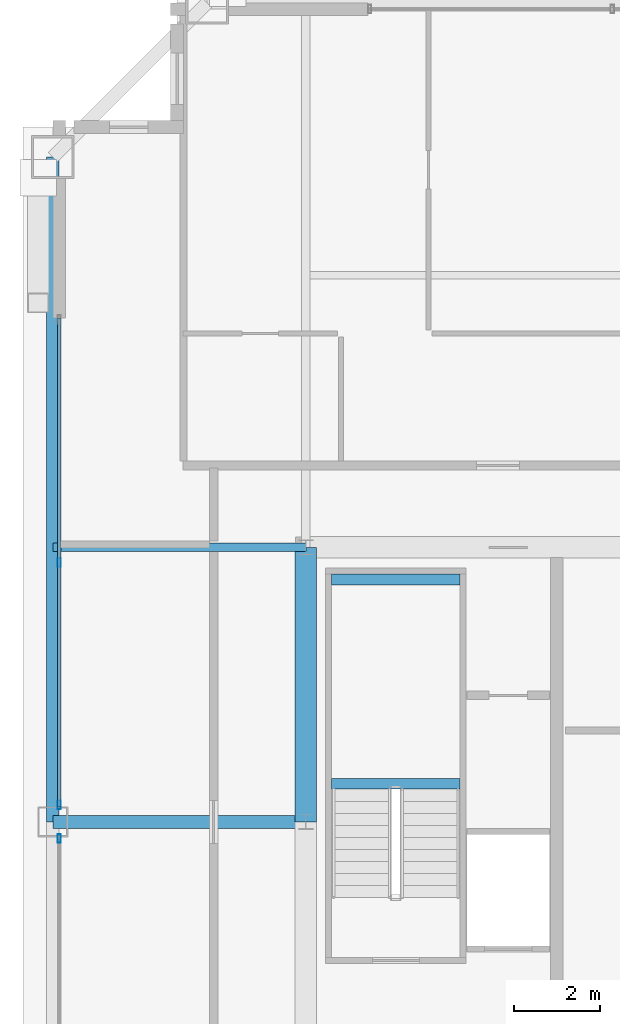
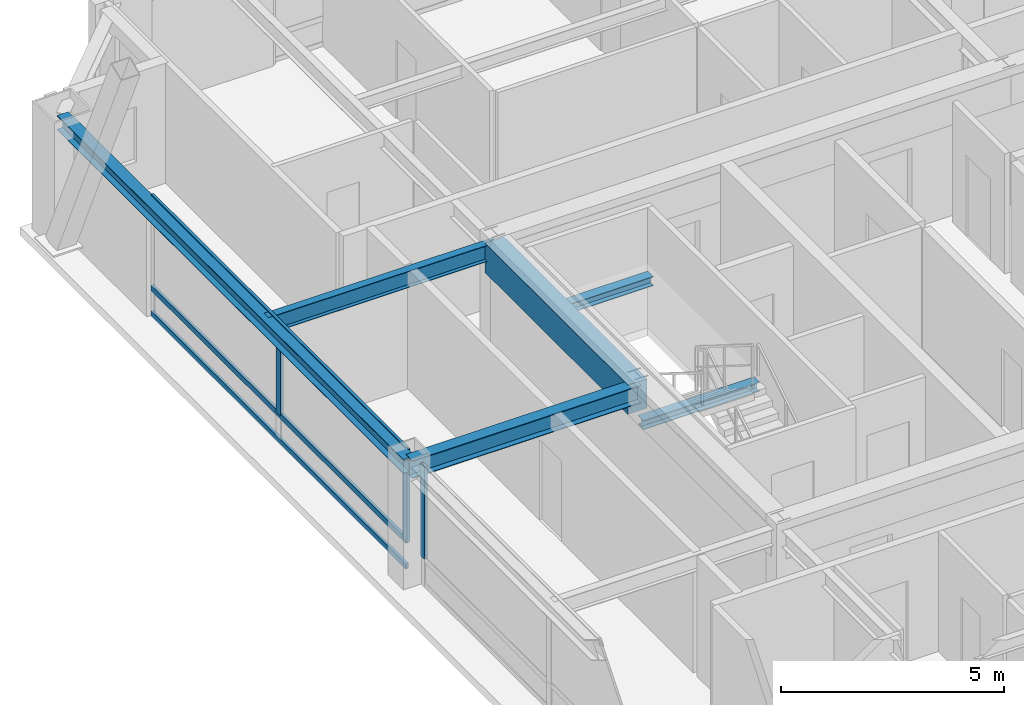
# One storey, part 11 of 35: 6 beams, 6 members, 2 elements without a shape of their own.
"""IFC4 building model written with IfcOpenShell, lengths in metres."""

from ifc_helpers import new_model, si_unit, direction, frame, origin, origin_2d, place, context, subcontext, project, spatial, rectangle, hollow_rectangle, i_section, extrude, source, transform, mapped, material, layer, layer_set, material_profile, profile_set, type_object, element, aggregate, save


model = new_model("IFC4")

# Units and contexts
model_context = context("Model", 3, precision=1e-05, world=origin(), true_north=direction((0.0, 1.0)))
body_context = subcontext(model_context, "Body", "Model", "MODEL_VIEW")
ifc_project = project(units=[si_unit("LENGTHUNIT", "METRE"), si_unit("AREAUNIT", "SQUARE_METRE"), si_unit("VOLUMEUNIT", "CUBIC_METRE"), si_unit("PLANEANGLEUNIT", "RADIAN"), si_unit("MASSUNIT", "GRAM", prefix="KILO"), si_unit("THERMODYNAMICTEMPERATUREUNIT", "KELVIN"), si_unit("POWERUNIT", "WATT")], contexts=[model_context])

# Site, building, storey
site_placement = place(None, origin())
site = spatial("IfcSite", under=ifc_project, at=site_placement, CompositionType="ELEMENT")
building_placement = place(site_placement, origin())
building = spatial("IfcBuilding", under=site, at=building_placement, Name="Yuzanri Waterfront Tower", CompositionType="ELEMENT")
storey_placement = place(building_placement, frame((0.0, 0.0, 314.699951171875)))
storey = spatial("IfcBuildingStorey", under=building, at=storey_placement, Name="L84", CompositionType="ELEMENT", Elevation=314.699951171875)

# Beams
ifc_material_1 = material(Name="Concrete C50", Category="concrete")
ifc_material_profile_1 = material_profile(ifc_material_1, rectangle(XDim=0.5, YDim=0.800048828125, at=origin_2d()), Name="RC 500x800")
ifc_profile_set_1 = profile_set([ifc_material_profile_1], Name="Concrete C50")
beam_type_1 = type_object("IfcBeamType", Name="Core Coupling Lintel Concrete C50 500x800", PredefinedType="LINTEL", material=ifc_profile_set_1)
shared_shape_1 = source(origin(), body_context, "Body", "SweptSolid", [
    extrude(rectangle(XDim=0.5, YDim=0.800048828125, at=origin_2d()), origin(), (0.0, 0.0, 1.0), 6.39990234375),
])
beam_1_placement = place(storey_placement, frame((23.800048828125, 25.800048828125, 2.880126953125), z_axis=(0.0, 1.0, 0.0), x_axis=(-1.0, 0.0, 0.0)))
element("IfcBeam", 1, at=beam_1_placement, inside=storey, type_object=beam_type_1, Name="L84 Core Tie Beam CW2", PredefinedType="LINTEL", context=body_context, shape_type="MappedRepresentation", body=[
    mapped(shared_shape_1, transform((0.0, 0.0, 0.0), scale=1.0)),
])
ifc_material_2 = material(Name="Steel Q355B", Category="steel")
ifc_material_profile_2 = material_profile(ifc_material_2, i_section(OverallWidth=0.300048828125, OverallDepth=0.389892578125, WebThickness=0.010009765625, FlangeThickness=0.01611328125, at=origin_2d()), Name="HM 390x300x10x16")
ifc_profile_set_2 = profile_set([ifc_material_profile_2], Name="Steel Q355B")
beam_type_2 = type_object("IfcBeamType", Name="Perimeter Spandrel Q355B HM 390x300", PredefinedType="SPANDREL", material=ifc_profile_set_2)
shared_shape_2 = source(origin(), body_context, "Body", "SweptSolid", [
    extrude(i_section(OverallWidth=0.300048828125, OverallDepth=0.389892578125, WebThickness=0.010009765625, FlangeThickness=0.01611328125, at=origin_2d()), origin(), (0.0, 0.0, 1.0), 15.5),
])
beam_2_placement = place(storey_placement, frame((17.89990234375, 41.300048828125, 3.0849609375), z_axis=(0.0, -1.0, 0.0), x_axis=(1.0, 0.0, 0.0)))
element("IfcBeam", 2, at=beam_2_placement, inside=storey, type_object=beam_type_2, Name="L84 Perimeter Spandrel W3-W2", PredefinedType="SPANDREL", context=body_context, shape_type="MappedRepresentation", body=[
    mapped(shared_shape_2, transform((0.0, 0.0, 0.0), scale=1.0)),
])
ifc_material_3 = material(Name="Steel Q355B", Category="steel")
ifc_material_profile_3 = material_profile(ifc_material_3, i_section(OverallWidth=0.300048828125, OverallDepth=0.488037109375, WebThickness=0.010986328125, FlangeThickness=0.01806640625, at=origin_2d()), Name="HM 488x300x11x18")
ifc_profile_set_3 = profile_set([ifc_material_profile_3], Name="Steel Q355B")
beam_type_3 = type_object("IfcBeamType", Name="Primary Floor Girder Q355B HM 488x300", PredefinedType="BEAM", material=ifc_profile_set_3)
shared_shape_3 = source(origin(), body_context, "Body", "SweptSolid", [
    extrude(i_section(OverallWidth=0.300048828125, OverallDepth=0.488037109375, WebThickness=0.010986328125, FlangeThickness=0.01806640625, at=origin_2d()), origin(), (0.0, 0.0, 1.0), 5.900146484375),
])
beam_3_placement = place(storey_placement, frame((23.800048828125, 25.800048828125, 3.0361328125), z_axis=(-1.0, 0.0, 0.0), x_axis=(0.0, -1.0, 0.0)))
element("IfcBeam", 3, at=beam_3_placement, inside=storey, type_object=beam_type_3, Name="L84 West Grid Girder", PredefinedType="BEAM", context=body_context, shape_type="MappedRepresentation", body=[
    mapped(shared_shape_3, transform((0.0, 0.0, 0.0), scale=1.0)),
])
ifc_material_4 = material(Name="Steel Q355B", Category="steel")
ifc_material_profile_4 = material_profile(ifc_material_4, i_section(OverallWidth=0.199951171875, OverallDepth=0.449951171875, WebThickness=0.009033203125, FlangeThickness=0.013916015625, at=origin_2d()), Name="HN 450x200x9x14")
ifc_profile_set_4 = profile_set([ifc_material_profile_4], Name="Steel Q355B")
beam_type_4 = type_object("IfcBeamType", Name="Secondary Floor Beam Q355B HN 450x200", PredefinedType="BEAM", material=ifc_profile_set_4)
shared_shape_4 = source(origin(), body_context, "Body", "SweptSolid", [
    extrude(i_section(OverallWidth=0.199951171875, OverallDepth=0.449951171875, WebThickness=0.009033203125, FlangeThickness=0.013916015625, at=origin_2d()), origin(), (0.0, 0.0, 1.0), 5.900146484375),
])
beam_4_placement = place(storey_placement, frame((23.800048828125, 32.199951171875, 3.054931640625), z_axis=(-1.0, 0.0, 0.0), x_axis=(0.0, -1.0, 0.0)))
element("IfcBeam", 4, at=beam_4_placement, inside=storey, type_object=beam_type_4, Name="L84 West-North Core Line Beam", PredefinedType="BEAM", context=body_context, shape_type="MappedRepresentation", body=[
    mapped(shared_shape_4, transform((0.0, 0.0, 0.0), scale=1.0)),
])

# Curtain wall, member
ifc_material_5 = material(Name="Anodized Architectural Bronze", Category="metal")
ifc_layer = layer(ifc_material_5, 0.159912109375)
ifc_layer_set = layer_set([ifc_layer], Name="Anodized Architectural Bronze")
curtain_wall_type = type_object("IfcCurtainWallType", Name="Anodized Bronze High-Rise Penthouse High-Wind Unitized Curtain Wall 6900", PredefinedType="NOTDEFINED", material=ifc_layer_set)
curtain_wall_1_placement = place(storey_placement, origin())
curtain_wall_1 = element("IfcCurtainWall", 5, at=curtain_wall_1_placement, inside=storey, type_object=curtain_wall_type, Name="L84 Curtain Wall CW-L84-WL", PredefinedType="NOTDEFINED")
ifc_material_6 = material(Name="Anodized Architectural Bronze", Category="metal")
ifc_material_profile_5 = material_profile(ifc_material_6, hollow_rectangle(XDim=0.074951171875, YDim=0.199951171875, WallThickness=0.00390625, at=origin_2d()), Name="CWM 75x200")
ifc_profile_set_5 = profile_set([ifc_material_profile_5], Name="Anodized Architectural Bronze")
member_type_1 = type_object("IfcMemberType", Name="Anodized Bronze Primary Curtain-Wall Mullion 75x200", PredefinedType="MULLION", material=ifc_profile_set_5)
shared_shape_5 = source(origin(), body_context, "Body", "SweptSolid", [
    extrude(hollow_rectangle(XDim=0.074951171875, YDim=0.199951171875, WallThickness=0.00390625, at=origin_2d()), origin(), (0.0, 0.0, 1.0), 2.52392578125),
])
member_1_placement = place(storey_placement, frame((18.050048828125, 25.409912109375, 0.756103515625), z_axis=(0.0, 0.0, 1.0), x_axis=(1.0, 0.0, 0.0)))
member_1 = element("IfcMember", 6, at=member_1_placement, type_object=member_type_1, Name="CW-L84-WL Upper Mullion 02", PredefinedType="MULLION", context=body_context, shape_type="MappedRepresentation", body=[
    mapped(shared_shape_5, transform((0.0, 0.0, 0.0), scale=1.0)),
])
aggregate(curtain_wall_1, [member_1])

# Curtain wall, members
curtain_wall_2_placement = place(storey_placement, origin())
curtain_wall_2 = element("IfcCurtainWall", 7, at=curtain_wall_2_placement, inside=storey, type_object=curtain_wall_type, Name="L84 Curtain Wall CW-L84-WR", PredefinedType="NOTDEFINED")
member_2_placement = place(storey_placement, frame((18.050048828125, 26.18994140625, 0.756103515625), z_axis=(0.0, 0.0, 1.0), x_axis=(1.0, 0.0, 0.0)))
member_2 = element("IfcMember", 8, at=member_2_placement, type_object=member_type_1, Name="CW-L84-WR Upper Mullion 00", PredefinedType="MULLION", context=body_context, shape_type="MappedRepresentation", body=[
    mapped(shared_shape_5, transform((0.0, 0.0, 0.0), scale=1.0)),
])
member_3_placement = place(storey_placement, frame((18.050048828125, 31.85009765625, 0.756103515625), z_axis=(0.0, 0.0, 1.0), x_axis=(1.0, 0.0, 0.0)))
member_3 = element("IfcMember", 9, at=member_3_placement, type_object=member_type_1, Name="CW-L84-WR Upper Mullion 01", PredefinedType="MULLION", context=body_context, shape_type="MappedRepresentation", body=[
    mapped(shared_shape_5, transform((0.0, 0.0, 0.0), scale=1.0)),
])
ifc_material_7 = material(Name="Anodized Architectural Bronze", Category="metal")
ifc_material_profile_6 = material_profile(ifc_material_7, hollow_rectangle(XDim=0.074951171875, YDim=0.14990234375, WallThickness=0.00390625, at=origin_2d()), Name="CWT 75x150")
ifc_profile_set_6 = profile_set([ifc_material_profile_6], Name="Anodized Architectural Bronze")
member_type_2 = type_object("IfcMemberType", Name="Anodized Bronze Primary Curtain-Wall Transom 75x150", PredefinedType="USERDEFINED", material=ifc_profile_set_6)
shared_shape_6 = source(origin(), body_context, "Body", "SweptSolid", [
    extrude(hollow_rectangle(XDim=0.074951171875, YDim=0.14990234375, WallThickness=0.00390625, at=origin_2d()), origin(), (0.0, 0.0, 1.0), 11.400146484375),
])
member_4_placement = place(storey_placement, frame((18.050048828125, 26.14990234375, 0.050048828125), z_axis=(0.0, 1.0, 0.0), x_axis=(-1.0, 0.0, 0.0)))
member_4 = element("IfcMember", 10, at=member_4_placement, type_object=member_type_2, Name="CW-L84-WR Transom 1", ObjectType="TRANSOM", PredefinedType="USERDEFINED", context=body_context, shape_type="MappedRepresentation", body=[
    mapped(shared_shape_6, transform((0.0, 0.0, 0.0), scale=1.0)),
])
member_5_placement = place(storey_placement, frame((18.050048828125, 26.14990234375, 0.754150390625), z_axis=(0.0, 1.0, 0.0), x_axis=(-1.0, 0.0, 0.0)))
member_5 = element("IfcMember", 11, at=member_5_placement, type_object=member_type_2, Name="CW-L84-WR Transom 2", ObjectType="TRANSOM", PredefinedType="USERDEFINED", context=body_context, shape_type="MappedRepresentation", body=[
    mapped(shared_shape_6, transform((0.0, 0.0, 0.0), scale=1.0)),
])
member_6_placement = place(storey_placement, frame((18.050048828125, 26.14990234375, 3.22998046875), z_axis=(0.0, 1.0, 0.0), x_axis=(-1.0, 0.0, 0.0)))
member_6 = element("IfcMember", 12, at=member_6_placement, type_object=member_type_2, Name="CW-L84-WR Transom 3", ObjectType="TRANSOM", PredefinedType="USERDEFINED", context=body_context, shape_type="MappedRepresentation", body=[
    mapped(shared_shape_6, transform((0.0, 0.0, 0.0), scale=1.0)),
])
aggregate(curtain_wall_2, [member_2, member_3, member_4, member_5, member_6])

# Beams
ifc_material_8 = material(Name="Steel Q355B", Category="steel")
ifc_material_profile_7 = material_profile(ifc_material_8, i_section(OverallWidth=0.25, OverallDepth=0.25, WebThickness=0.009033203125, FlangeThickness=0.013916015625, at=origin_2d()), Name="HW 250x250x9x14")
ifc_profile_set_7 = profile_set([ifc_material_profile_7], Name="Steel Q355B")
beam_type_5 = type_object("IfcBeamType", Name="Stair Landing Support Beam Q355B HW 250x250", PredefinedType="BEAM", material=ifc_profile_set_7)
shared_shape_7 = source(origin(), body_context, "Body", "SweptSolid", [
    extrude(i_section(OverallWidth=0.25, OverallDepth=0.25, WebThickness=0.009033203125, FlangeThickness=0.013916015625, at=origin_2d()), origin(), (0.0, 0.0, 1.0), 3.0),
])
for number, where, z_axis, x_axis, name in (
    (13, (24.39990234375, 26.68994140625, 1.425048828125), (1.0, 0.0, 0.0), (0.0, 1.0, 0.0), "L84 Stair Landing Support Beam ST-01-L84-L1-1"),
    (14, (24.39990234375, 31.449951171875, 1.425048828125), (1.0, 0.0, 0.0), (0.0, 1.0, 0.0), "L84 Stair Landing Support Beam ST-01-L84-L1-2"),
):
    element("IfcBeam", number, at=place(storey_placement, frame(where, z_axis=z_axis, x_axis=x_axis)), inside=storey, type_object=beam_type_5, Name=name, PredefinedType="BEAM", context=body_context, shape_type="MappedRepresentation", body=[
        mapped(shared_shape_7, transform((0.0, 0.0, 0.0), scale=1.0)),
    ])

save(model, "model.ifc")
